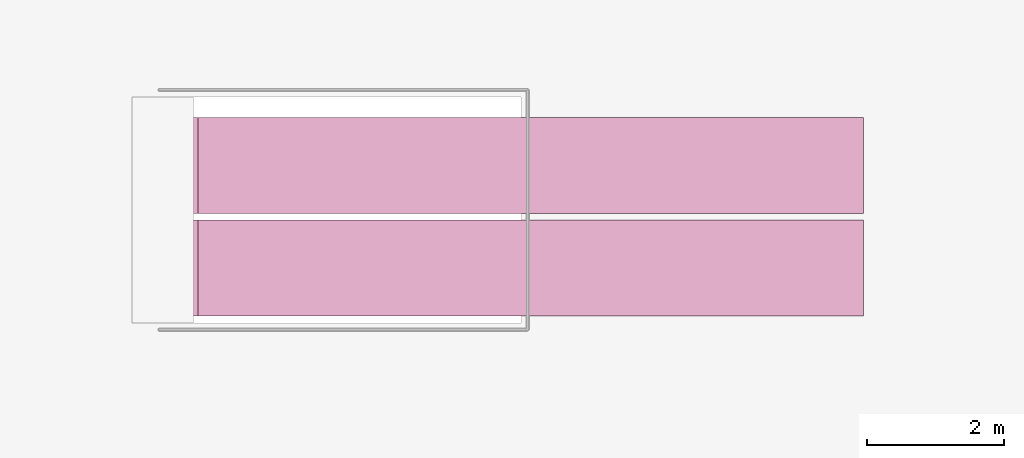
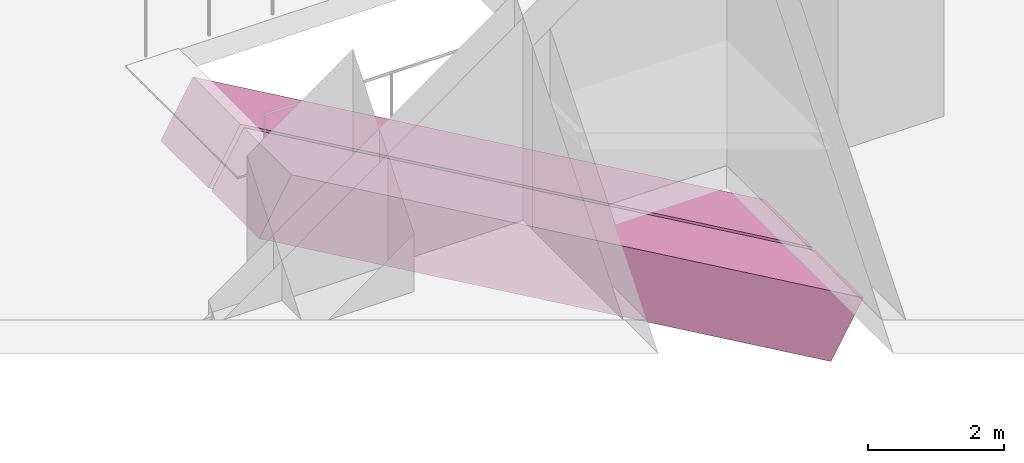
# One storey, part 22 of 22: 2 transport elements.
"""IFC4 building model written with IfcOpenShell, lengths in metres."""

from ifc_helpers import new_model, si_unit, direction, frame, origin, origin_2d, place, context, subcontext, project, spatial, rectangle, extrude, material, material_profile, profile_set, type_object, element, save


model = new_model("IFC4")

# Units and contexts
model_context = context("Model", 3, precision=1e-05, world=origin(), true_north=direction((0.0, 1.0)))
body_context = subcontext(model_context, "Body", "Model", "MODEL_VIEW")
ifc_project = project(units=[si_unit("LENGTHUNIT", "METRE"), si_unit("AREAUNIT", "SQUARE_METRE"), si_unit("VOLUMEUNIT", "CUBIC_METRE"), si_unit("PLANEANGLEUNIT", "RADIAN"), si_unit("MASSUNIT", "GRAM", prefix="KILO")], contexts=[model_context])

# Site, building, storey
site_placement = place(None, origin())
site = spatial("IfcSite", under=ifc_project, at=site_placement, CompositionType="ELEMENT")
building_placement = place(site_placement, origin())
building = spatial("IfcBuilding", under=site, at=building_placement, Name="Brigalow Station Residences", CompositionType="ELEMENT")
storey_placement = place(building_placement, frame((0.0, 0.0, 6.5)))
storey = spatial("IfcBuildingStorey", under=building, at=storey_placement, Name="L01", CompositionType="ELEMENT", Elevation=6.5)

# Transport elements
ifc_material = material(Name="Stainless steel and galvanised steel truss", Category="steel")
ifc_material_profile = material_profile(ifc_material, rectangle(XDim=1.39990234375, YDim=1.10009765625, at=origin_2d()), Name="ESC1400x1100")
ifc_profile_set = profile_set([ifc_material_profile], Name="Stainless steel and galvanised steel truss")
transport_element_type = type_object("IfcTransportElementType", Name="ESCALATOR 1400 30 DEGREES", PredefinedType="ESCALATOR", material=ifc_profile_set)
for number, where, z_axis, x_axis, name in (
    (1, (9.794921875, 39.199951171875, -0.804931640625), (0.866014851311, 0.0, -0.500018276975), (0.0, 1.0, 0.0), "Mezzanine escalator 1 (up)"),
    (2, (9.794921875, 40.699951171875, -0.804931640625), (0.866014851311, 0.0, -0.500018276975), (0.0, 1.0, 0.0), "Mezzanine escalator 2 (down)"),
):
    element("IfcTransportElement", number, at=place(storey_placement, frame(where, z_axis=z_axis, x_axis=x_axis)), inside=storey, type_object=transport_element_type, Name=name, PredefinedType="ESCALATOR", context=body_context, shape_type="SweptSolid", body=[
        extrude(rectangle(XDim=1.39990234375, YDim=1.10009765625, at=origin_2d()), origin(), (0.0, 0.0, 1.0), 11.2158203125),
    ])

save(model, "model.ifc")
